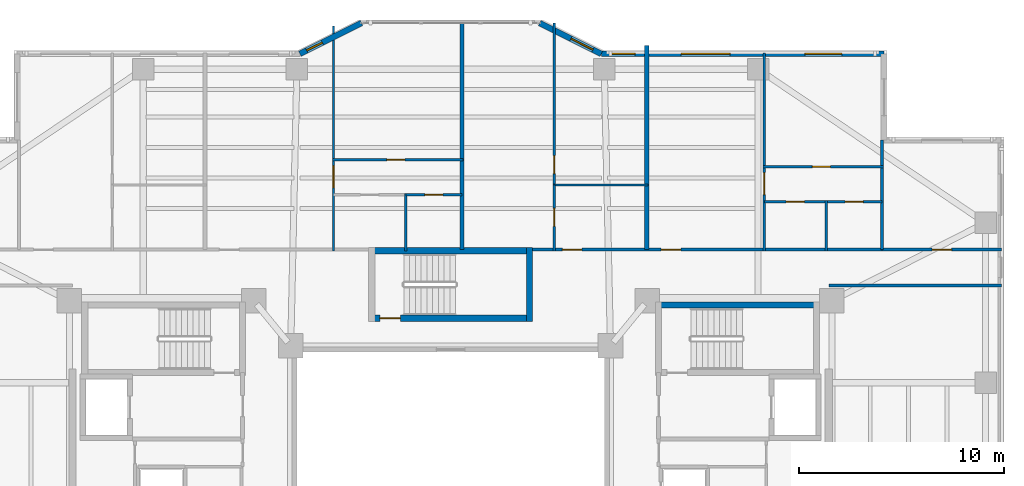
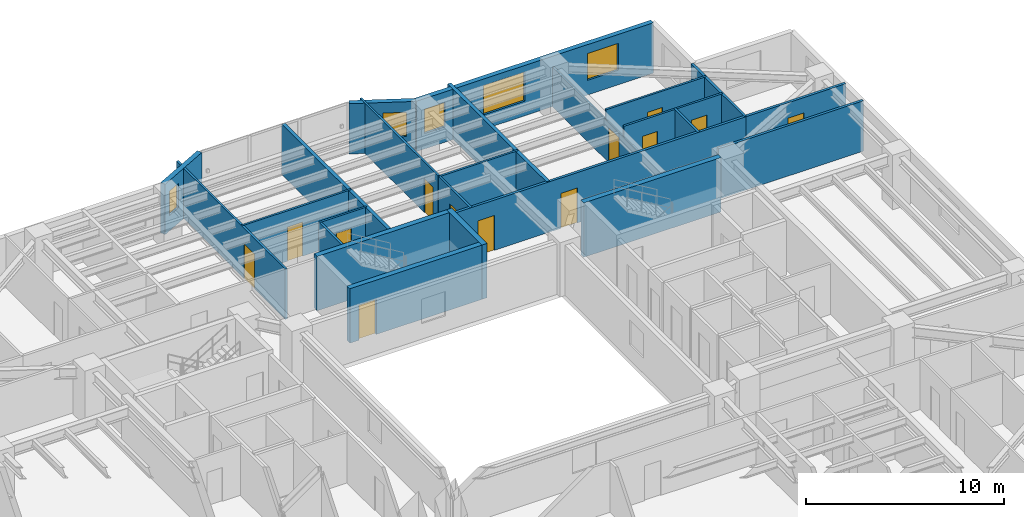
# One storey, part 10 of 18: 25 walls, 13 doors, 5 windows, 18 openings.
"""IFC4 building model written with IfcOpenShell, lengths in metres."""

from ifc_helpers import new_model, si_unit, direction, frame, frame_2d, origin, place, context, subcontext, project, spatial, rectangle, extrude, material, layer, layer_set, type_object, element, fill, save


model = new_model("IFC4")

# Units and contexts
model_context = context("Model", 3, precision=1e-05, world=origin(), true_north=direction((0.0, 1.0)))
body_context = subcontext(model_context, "Body", "Model", "MODEL_VIEW")
ifc_project = project(units=[si_unit("LENGTHUNIT", "METRE"), si_unit("AREAUNIT", "SQUARE_METRE"), si_unit("VOLUMEUNIT", "CUBIC_METRE"), si_unit("PLANEANGLEUNIT", "RADIAN"), si_unit("MASSUNIT", "GRAM", prefix="KILO")], contexts=[model_context])

# Site, building, storey
site_placement = place(None, origin())
site = spatial("IfcSite", under=ifc_project, at=site_placement, CompositionType="ELEMENT")
building_placement = place(site_placement, origin())
building = spatial("IfcBuilding", under=site, at=building_placement, Name="Tarnavaz Court Tower", CompositionType="ELEMENT")
storey_placement = place(building_placement, frame((0.0, 0.0, 98.39990234375)))
storey = spatial("IfcBuildingStorey", under=building, at=storey_placement, Name="L26", CompositionType="ELEMENT", Elevation=98.39990234375)

# Walls
ifc_material_1 = material(Name="Concrete C60/75", Category="concrete")
ifc_layer_1 = layer(ifc_material_1, 0.300048828125)
ifc_layer_set_1 = layer_set([ifc_layer_1], Name="Concrete C60/75")
wall_type_1 = type_object("IfcWallType", Name="WL-CORE-300-C60", PredefinedType="SHEAR", material=ifc_layer_set_1)
for number, where, z_axis, x_axis, name in (
    (1, (10.0, 9.7900390625, 0.0), (0.0, 0.0, 1.0), (1.0, 0.0, 0.0), "L26 East Stair Core Wall 005"),
    (2, (-4.0, 12.43994140625, 0.0), (0.0, 0.0, 1.0), (1.0, 0.0, 0.0), "L26 North Stair Core Wall 009"),
):
    element("IfcWall", number, at=place(storey_placement, frame(where, z_axis=z_axis, x_axis=x_axis)), inside=storey, type_object=wall_type_1, Name=name, PredefinedType="SHEAR", context=body_context, shape_type="SweptSolid", body=[
        extrude(rectangle(XDim=8.0, YDim=0.300048828125, at=frame_2d((4.0, 0.0))), origin(), (0.0, 0.0, 1.0), 3.35009765625),
    ])

# Wall, opening, door
wall_1_placement = place(storey_placement, frame((-4.0, 9.14990234375, 0.0), z_axis=(0.0, 0.0, 1.0), x_axis=(1.0, 0.0, 0.0)))
wall_1 = element("IfcWall", 3, at=wall_1_placement, inside=storey, type_object=wall_type_1, Name="L26 North Stair Core Wall 010", PredefinedType="SHEAR", context=body_context, shape_type="SweptSolid", body=[
    extrude(rectangle(XDim=8.0, YDim=0.300048828125, at=frame_2d((4.0, 0.0))), origin(), (0.0, 0.0, 1.0), 3.35009765625),
])
opening_1_placement = place(wall_1_placement, frame((0.550048828125, 0.0, 0.0)))
opening_1 = element("IfcOpeningElement", 4, at=opening_1_placement, cuts=wall_1, Name="Opening D01", PredefinedType="OPENING", context=body_context, shape_type="SweptSolid", body=[
    extrude(rectangle(XDim=1.0, YDim=2.14990234375, at=frame_2d((0.5, 1.074951171875))), frame((0.0, 0.159912109375, 0.0), z_axis=(0.0, -1.0, 0.0), x_axis=(1.0, 0.0, 0.0)), (0.0, 0.0, 1.0), 0.320068359375),
])
ifc_material_2 = material(Name="Fire-Rated Hardwood Timber Core", Category="wood")
door_type_1 = type_object("IfcDoorType", Name="DR-FD90-1000", OperationType="NOTDEFINED", PredefinedType="DOOR", material=ifc_material_2)
door_1_placement = place(opening_1_placement, origin())
door_1 = element("IfcDoor", 5, at=door_1_placement, inside=storey, type_object=door_type_1, Name="L26 Stair ST-N1 Exit Door", OperationType="SINGLE_SWING_LEFT", OverallHeight=2.14990234375, OverallWidth=1.0, PredefinedType="DOOR", context=body_context, shape_type="SweptSolid", body=[
    extrude(rectangle(XDim=1.0, YDim=2.14990234375, at=frame_2d((0.5, 1.074951171875))), frame((0.0, 0.02490234375, 0.0), z_axis=(0.0, -1.0, 0.0), x_axis=(1.0, 0.0, 0.0)), (0.0, 0.0, 1.0), 0.050048828125),
])
fill(opening_1, door_1)

# Wall
wall_2_placement = place(storey_placement, frame((3.85009765625, 9.0, 0.0), z_axis=(0.0, 0.0, 1.0), x_axis=(0.0, 1.0, 0.0)))
element("IfcWall", 6, at=wall_2_placement, inside=storey, type_object=wall_type_1, Name="L26 North Stair Core Wall 012", PredefinedType="SHEAR", context=body_context, shape_type="SweptSolid", body=[
    extrude(rectangle(XDim=3.590087890625, YDim=0.300048828125, at=frame_2d((1.794921875, 0.0))), origin(), (0.0, 0.0, 1.0), 3.35009765625),
])

# Wall, opening, window
ifc_material_3 = material(Name="Precast Concrete C40/50", Category="concrete")
ifc_layer_2 = layer(ifc_material_3, 0.280029296875)
ifc_layer_set_2 = layer_set([ifc_layer_2], Name="Precast Concrete C40/50")
wall_type_2 = type_object("IfcWallType", Name="WL-EXT-280", PredefinedType="SOLIDWALL", material=ifc_layer_set_2)
wall_3_placement = place(storey_placement, frame((-7.35009765625, 22.050048828125, 0.0), z_axis=(0.0, 0.0, 1.0), x_axis=(0.894427191, 0.4472135955, 0.0)))
wall_3 = element("IfcWall", 7, at=wall_3_placement, inside=storey, type_object=wall_type_2, Name="L26 Exterior Terracotta Facade Wall 06", PredefinedType="SOLIDWALL", context=body_context, shape_type="SweptSolid", body=[
    extrude(rectangle(XDim=3.35400390625, YDim=0.280029296875, at=frame_2d((1.677001953125, 0.0))), origin(), (0.0, 0.0, 1.0), 3.10009765625),
])
opening_2_placement = place(wall_3_placement, frame((0.370849609375, 0.0, 0.949951171875)))
opening_2 = element("IfcOpeningElement", 8, at=opening_2_placement, cuts=wall_3, Name="Opening W15", PredefinedType="OPENING", context=body_context, shape_type="SweptSolid", body=[
    extrude(rectangle(XDim=0.85009765625, YDim=1.5, at=frame_2d((0.425048828125, 0.75))), frame((0.0, 0.14990234375, 0.0), z_axis=(0.0, -1.0, 0.0), x_axis=(1.0, 0.0, 0.0)), (0.0, 0.0, 1.0), 0.300048828125),
])
ifc_material_4 = material(Name="Double-Glazed Solar Low-E Glass", Category="glass")
window_type_1 = type_object("IfcWindowType", Name="WN-APT-850", PartitioningType="SINGLE_PANEL", PredefinedType="WINDOW", material=ifc_material_4)
window_1_placement = place(opening_2_placement, origin())
window_1 = element("IfcWindow", 9, at=window_1_placement, inside=storey, type_object=window_type_1, Name="L26 Flat 02 Living and Dining Room Window", OverallHeight=1.5, OverallWidth=0.85009765625, PartitioningType="SINGLE_PANEL", PredefinedType="WINDOW", context=body_context, shape_type="SweptSolid", body=[
    extrude(rectangle(XDim=0.85009765625, YDim=1.5, at=frame_2d((0.425048828125, 0.75))), frame((0.0, 0.030029296875, 0.0), z_axis=(0.0, -1.0, 0.0), x_axis=(1.0, 0.0, 0.0)), (0.0, 0.0, 1.0), 0.06005859375),
])
fill(opening_2, window_1)

wall_4_placement = place(storey_placement, frame((4.35009765625, 23.550048828125, 0.0), z_axis=(0.0, 0.0, 1.0), x_axis=(0.894427191, -0.4472135955, 0.0)))
wall_4 = element("IfcWall", 10, at=wall_4_placement, inside=storey, type_object=wall_type_2, Name="L26 Exterior Terracotta Facade Wall 08", PredefinedType="SOLIDWALL", context=body_context, shape_type="SweptSolid", body=[
    extrude(rectangle(XDim=3.35400390625, YDim=0.280029296875, at=frame_2d((1.677001953125, 0.0))), origin(), (0.0, 0.0, 1.0), 3.10009765625),
])
opening_3_placement = place(wall_4_placement, frame((1.702880859375, 0.0, 0.949951171875)))
opening_3 = element("IfcOpeningElement", 11, at=opening_3_placement, cuts=wall_4, Name="Opening W05", PredefinedType="OPENING", context=body_context, shape_type="SweptSolid", body=[
    extrude(rectangle(XDim=1.199951171875, YDim=1.5, at=frame_2d((0.60009765625, 0.75))), frame((0.0, 0.14990234375, 0.0), z_axis=(0.0, -1.0, 0.0), x_axis=(1.0, 0.0, 0.0)), (0.0, 0.0, 1.0), 0.300048828125),
])
window_type_2 = type_object("IfcWindowType", Name="WN-APT-1200", PartitioningType="SINGLE_PANEL", PredefinedType="WINDOW", material=ifc_material_4)
window_2_placement = place(opening_3_placement, origin())
window_2 = element("IfcWindow", 12, at=window_2_placement, inside=storey, type_object=window_type_2, Name="L26 Flat 03 Kitchen Window", OverallHeight=1.5, OverallWidth=1.199951171875, PartitioningType="SINGLE_PANEL", PredefinedType="WINDOW", context=body_context, shape_type="SweptSolid", body=[
    extrude(rectangle(XDim=1.199951171875, YDim=1.5, at=frame_2d((0.60009765625, 0.75))), frame((0.0, 0.030029296875, 0.0), z_axis=(0.0, -1.0, 0.0), x_axis=(1.0, 0.0, 0.0)), (0.0, 0.0, 1.0), 0.06005859375),
])
fill(opening_3, window_2)

# Wall, openings, windows
wall_5_placement = place(storey_placement, frame((7.35009765625, 22.050048828125, 0.0), z_axis=(0.0, 0.0, 1.0), x_axis=(1.0, 0.0, 0.0)))
wall_5 = element("IfcWall", 13, at=wall_5_placement, inside=storey, type_object=wall_type_2, Name="L26 Exterior Terracotta Facade Wall 09", PredefinedType="SOLIDWALL", context=body_context, shape_type="SweptSolid", body=[
    extrude(rectangle(XDim=13.7998046875, YDim=0.280029296875, at=frame_2d((6.89990234375, 0.0))), origin(), (0.0, 0.0, 1.0), 3.10009765625),
])
opening_4_placement = place(wall_5_placement, frame((0.453857421875, 0.0, 0.949951171875)))
opening_4 = element("IfcOpeningElement", 14, at=opening_4_placement, cuts=wall_5, Name="Opening W05", PredefinedType="OPENING", context=body_context, shape_type="SweptSolid", body=[
    extrude(rectangle(XDim=1.199951171875, YDim=1.5, at=frame_2d((0.60009765625, 0.75))), frame((0.0, 0.14990234375, 0.0), z_axis=(0.0, -1.0, 0.0), x_axis=(1.0, 0.0, 0.0)), (0.0, 0.0, 1.0), 0.300048828125),
])
opening_5_placement = place(wall_5_placement, frame((3.8935546875, 0.0, 0.89990234375)))
opening_5 = element("IfcOpeningElement", 15, at=opening_5_placement, cuts=wall_5, Name="Opening W06", PredefinedType="OPENING", context=body_context, shape_type="SweptSolid", body=[
    extrude(rectangle(XDim=2.39990234375, YDim=1.800048828125, at=frame_2d((1.199951171875, 0.89990234375))), frame((0.0, 0.14990234375, 0.0), z_axis=(0.0, -1.0, 0.0), x_axis=(1.0, 0.0, 0.0)), (0.0, 0.0, 1.0), 0.300048828125),
])
opening_6_placement = place(wall_5_placement, frame((9.939208984375, 0.0, 0.89990234375)))
opening_6 = element("IfcOpeningElement", 16, at=opening_6_placement, cuts=wall_5, Name="Opening W01", PredefinedType="OPENING", context=body_context, shape_type="SweptSolid", body=[
    extrude(rectangle(XDim=1.800048828125, YDim=1.64990234375, at=frame_2d((0.89990234375, 0.824951171875))), frame((0.0, 0.14990234375, 0.0), z_axis=(0.0, -1.0, 0.0), x_axis=(1.0, 0.0, 0.0)), (0.0, 0.0, 1.0), 0.300048828125),
])
window_3_placement = place(opening_4_placement, origin())
window_3 = element("IfcWindow", 17, at=window_3_placement, inside=storey, type_object=window_type_2, Name="L26 Flat 03 Kitchen Window", OverallHeight=1.5, OverallWidth=1.199951171875, PartitioningType="SINGLE_PANEL", PredefinedType="WINDOW", context=body_context, shape_type="SweptSolid", body=[
    extrude(rectangle(XDim=1.199951171875, YDim=1.5, at=frame_2d((0.60009765625, 0.75))), frame((0.0, 0.030029296875, 0.0), z_axis=(0.0, -1.0, 0.0), x_axis=(1.0, 0.0, 0.0)), (0.0, 0.0, 1.0), 0.06005859375),
])
fill(opening_4, window_3)
window_type_3 = type_object("IfcWindowType", Name="WN-APT-1800", PartitioningType="DOUBLE_PANEL_VERTICAL", PredefinedType="WINDOW", material=ifc_material_4)
window_4_placement = place(opening_6_placement, origin())
window_4 = element("IfcWindow", 18, at=window_4_placement, inside=storey, type_object=window_type_3, Name="L26 Flat 04 Bedroom 1 Window", OverallHeight=1.64990234375, OverallWidth=1.800048828125, PartitioningType="SINGLE_PANEL", PredefinedType="WINDOW", context=body_context, shape_type="SweptSolid", body=[
    extrude(rectangle(XDim=1.800048828125, YDim=1.64990234375, at=frame_2d((0.89990234375, 0.824951171875))), frame((0.0, 0.030029296875, 0.0), z_axis=(0.0, -1.0, 0.0), x_axis=(1.0, 0.0, 0.0)), (0.0, 0.0, 1.0), 0.06005859375),
])
fill(opening_6, window_4)
window_type_4 = type_object("IfcWindowType", Name="WN-APT-2400", PartitioningType="TRIPLE_PANEL_VERTICAL", PredefinedType="WINDOW", material=ifc_material_4)
window_5_placement = place(opening_5_placement, origin())
window_5 = element("IfcWindow", 19, at=window_5_placement, inside=storey, type_object=window_type_4, Name="L26 Flat 04 Living and Dining Room Window", OverallHeight=1.800048828125, OverallWidth=2.39990234375, PartitioningType="SINGLE_PANEL", PredefinedType="WINDOW", context=body_context, shape_type="SweptSolid", body=[
    extrude(rectangle(XDim=2.39990234375, YDim=1.800048828125, at=frame_2d((1.199951171875, 0.89990234375))), frame((0.0, 0.030029296875, 0.0), z_axis=(0.0, -1.0, 0.0), x_axis=(1.0, 0.0, 0.0)), (0.0, 0.0, 1.0), 0.06005859375),
])
fill(opening_5, window_5)

# Wall, openings, doors
ifc_material_5 = material(Name="Gypsum Fire-Board on Acoustic Metal Stud", Category="masonry")
ifc_layer_3 = layer(ifc_material_5, 0.14990234375)
ifc_layer_set_3 = layer_set([ifc_layer_3], Name="Gypsum Fire-Board on Acoustic Metal Stud")
wall_type_3 = type_object("IfcWallType", Name="WL-FIRE-150", PredefinedType="PARTITIONING", material=ifc_layer_set_3)
wall_6_placement = place(storey_placement, frame((3.85009765625, 12.5, 0.0), z_axis=(0.0, 0.0, 1.0), x_axis=(1.0, 0.0, 0.0)))
wall_6 = element("IfcWall", 20, at=wall_6_placement, inside=storey, type_object=wall_type_3, Name="L26 NE Wing Corridor Wall 072", PredefinedType="PARTITIONING", context=body_context, shape_type="SweptSolid", body=[
    extrude(rectangle(XDim=17.199951171875, YDim=0.14990234375, at=frame_2d((8.60009765625, 0.0))), origin(), (0.0, 0.0, 1.0), 3.10009765625),
])
opening_7_placement = place(wall_6_placement, frame((1.60009765625, 0.0, 0.0)))
opening_7 = element("IfcOpeningElement", 21, at=opening_7_placement, cuts=wall_6, Name="Opening D06", PredefinedType="OPENING", context=body_context, shape_type="SweptSolid", body=[
    extrude(rectangle(XDim=0.9599609375, YDim=2.14990234375, at=frame_2d((0.47998046875, 1.074951171875))), frame((0.0, 0.0849609375, 0.0), z_axis=(0.0, -1.0, 0.0), x_axis=(1.0, 0.0, 0.0)), (0.0, 0.0, 1.0), 0.169921875),
])
opening_8_placement = place(wall_6_placement, frame((6.419921875, 0.0, 0.0)))
opening_8 = element("IfcOpeningElement", 22, at=opening_8_placement, cuts=wall_6, Name="Opening D06", PredefinedType="OPENING", context=body_context, shape_type="SweptSolid", body=[
    extrude(rectangle(XDim=0.9599609375, YDim=2.14990234375, at=frame_2d((0.47998046875, 1.074951171875))), frame((0.0, 0.0849609375, 0.0), z_axis=(0.0, -1.0, 0.0), x_axis=(1.0, 0.0, 0.0)), (0.0, 0.0, 1.0), 0.169921875),
])
door_type_2 = type_object("IfcDoorType", Name="DR-FD60-950", OperationType="NOTDEFINED", PredefinedType="DOOR", material=ifc_material_2)
door_2_placement = place(opening_7_placement, origin())
door_2 = element("IfcDoor", 23, at=door_2_placement, inside=storey, type_object=door_type_2, Name="L26 Flat 03 Entrance Door", OperationType="SINGLE_SWING_LEFT", OverallHeight=2.14990234375, OverallWidth=0.9599609375, PredefinedType="DOOR", context=body_context, shape_type="SweptSolid", body=[
    extrude(rectangle(XDim=0.9599609375, YDim=2.14990234375, at=frame_2d((0.47998046875, 1.074951171875))), frame((0.0, 0.02490234375, 0.0), z_axis=(0.0, -1.0, 0.0), x_axis=(1.0, 0.0, 0.0)), (0.0, 0.0, 1.0), 0.050048828125),
])
fill(opening_7, door_2)
door_3_placement = place(opening_8_placement, origin())
door_3 = element("IfcDoor", 24, at=door_3_placement, inside=storey, type_object=door_type_2, Name="L26 Flat 04 Entrance Door", OperationType="SINGLE_SWING_RIGHT", OverallHeight=2.14990234375, OverallWidth=0.9599609375, PredefinedType="DOOR", context=body_context, shape_type="SweptSolid", body=[
    extrude(rectangle(XDim=0.9599609375, YDim=2.14990234375, at=frame_2d((0.47998046875, 1.074951171875))), frame((0.0, 0.02490234375, 0.0), z_axis=(0.0, -1.0, 0.0), x_axis=(1.0, 0.0, 0.0)), (0.0, 0.0, 1.0), 0.050048828125),
])
fill(opening_8, door_3)

# Wall
wall_7_placement = place(storey_placement, frame((18.449951171875, 10.75, 0.0), z_axis=(0.0, 0.0, 1.0), x_axis=(1.0, 0.0, 0.0)))
element("IfcWall", 25, at=wall_7_placement, inside=storey, type_object=wall_type_3, Name="L26 Interior Partition 115", PredefinedType="PARTITIONING", context=body_context, shape_type="SweptSolid", body=[
    extrude(rectangle(XDim=8.429931640625, YDim=0.14990234375, at=frame_2d((4.21484375, 0.0))), origin(), (0.0, 0.0, 1.0), 3.10009765625),
])

# Wall, opening, door
wall_8_placement = place(storey_placement, frame((21.050048828125, 12.5, 0.0), z_axis=(0.0, 0.0, 1.0), x_axis=(1.0, 0.0, 0.0)))
wall_8 = element("IfcWall", 26, at=wall_8_placement, inside=storey, type_object=wall_type_3, Name="L26 Interior Partition 121", PredefinedType="PARTITIONING", context=body_context, shape_type="SweptSolid", body=[
    extrude(rectangle(XDim=5.829833984375, YDim=0.14990234375, at=frame_2d((2.9150390625, 0.0))), origin(), (0.0, 0.0, 1.0), 3.10009765625),
])
opening_9_placement = place(wall_8_placement, frame((2.43994140625, 0.0, 0.0)))
opening_9 = element("IfcOpeningElement", 27, at=opening_9_placement, cuts=wall_8, Name="Opening D13", PredefinedType="OPENING", context=body_context, shape_type="SweptSolid", body=[
    extrude(rectangle(XDim=0.949951171875, YDim=2.14990234375, at=frame_2d((0.47509765625, 1.074951171875))), frame((0.0, 0.0849609375, 0.0), z_axis=(0.0, -1.0, 0.0), x_axis=(1.0, 0.0, 0.0)), (0.0, 0.0, 1.0), 0.169921875),
])
ifc_material_6 = material(Name="Engineered Oak Timber", Category="wood")
door_type_3 = type_object("IfcDoorType", Name="DR-INT-950", OperationType="NOTDEFINED", PredefinedType="DOOR", material=ifc_material_6)
door_4_placement = place(opening_9_placement, origin())
door_4 = element("IfcDoor", 28, at=door_4_placement, inside=storey, type_object=door_type_3, Name="L26 NE Sunroom Door", OperationType="SINGLE_SWING_RIGHT", OverallHeight=2.14990234375, OverallWidth=0.949951171875, PredefinedType="DOOR", context=body_context, shape_type="SweptSolid", body=[
    extrude(rectangle(XDim=0.949951171875, YDim=2.14990234375, at=frame_2d((0.47509765625, 1.074951171875))), frame((0.0, 0.02490234375, 0.0), z_axis=(0.0, -1.0, 0.0), x_axis=(1.0, 0.0, 0.0)), (0.0, 0.0, 1.0), 0.050048828125),
])
fill(opening_9, door_4)

# Walls
ifc_material_7 = material(Name="Autoclaved Aerated Concrete Blockwork", Category="masonry")
ifc_layer_4 = layer(ifc_material_7, 0.199951171875)
ifc_layer_set_4 = layer_set([ifc_layer_4], Name="Autoclaved Aerated Concrete Blockwork")
wall_type_4 = type_object("IfcWallType", Name="WL-FIRE-200", PredefinedType="SOLIDWALL", material=ifc_layer_set_4)
wall_9_placement = place(storey_placement, frame((0.550048828125, 12.5, 0.0), z_axis=(0.0, 0.0, 1.0), x_axis=(0.0, 1.0, 0.0)))
element("IfcWall", 29, at=wall_9_placement, inside=storey, type_object=wall_type_4, Name="L26 North Center Party Wall 075", PredefinedType="SOLIDWALL", context=body_context, shape_type="SweptSolid", body=[
    extrude(rectangle(XDim=11.080078125, YDim=0.199951171875, at=frame_2d((5.5400390625, 0.0))), origin(), (0.0, 0.0, 1.0), 3.10009765625),
])
wall_10_placement = place(storey_placement, frame((9.570068359375, 12.5, 0.0), z_axis=(0.0, 0.0, 1.0), x_axis=(0.0, 1.0, 0.0)))
element("IfcWall", 30, at=wall_10_placement, inside=storey, type_object=wall_type_4, Name="L26 Party Wall 085", PredefinedType="SOLIDWALL", context=body_context, shape_type="SweptSolid", body=[
    extrude(rectangle(XDim=9.952880859375, YDim=0.199951171875, at=frame_2d((4.9765625, 0.0))), origin(), (0.0, 0.0, 1.0), 3.10009765625),
])

# Wall, opening, door
ifc_material_8 = material(Name="Moisture-Resistant Gypsum Board Partition", Category="masonry")
ifc_layer_5 = layer(ifc_material_8, 0.1201171875)
ifc_layer_set_5 = layer_set([ifc_layer_5], Name="Moisture-Resistant Gypsum Board Partition")
wall_type_5 = type_object("IfcWallType", Name="WL-PART-120", PredefinedType="PARTITIONING", material=ifc_layer_set_5)
wall_11_placement = place(storey_placement, frame((-5.714111328125, 12.43994140625, 0.0), z_axis=(0.0, 0.0, 1.0), x_axis=(0.0, 1.0, 0.0)))
wall_11 = element("IfcWall", 31, at=wall_11_placement, inside=storey, type_object=wall_type_5, Name="L26 Interior Partition 080", PredefinedType="PARTITIONING", context=body_context, shape_type="SweptSolid", body=[
    extrude(rectangle(XDim=10.964111328125, YDim=0.1201171875, at=frame_2d((5.48193359375, 0.0))), origin(), (0.0, 0.0, 1.0), 3.10009765625),
])
opening_10_placement = place(wall_11_placement, frame((3.074951171875, 0.0, 0.0)))
opening_10 = element("IfcOpeningElement", 32, at=opening_10_placement, cuts=wall_11, Name="Opening D12", PredefinedType="OPENING", context=body_context, shape_type="SweptSolid", body=[
    extrude(rectangle(XDim=1.080078125, YDim=2.14990234375, at=frame_2d((0.5400390625, 1.074951171875))), frame((0.0, 0.070068359375, 0.0), z_axis=(0.0, -1.0, 0.0), x_axis=(1.0, 0.0, 0.0)), (0.0, 0.0, 1.0), 0.14013671875),
])
door_type_4 = type_object("IfcDoorType", Name="DR-INT-1100", OperationType="NOTDEFINED", PredefinedType="DOOR", material=ifc_material_6)
door_5_placement = place(opening_10_placement, origin())
door_5 = element("IfcDoor", 33, at=door_5_placement, inside=storey, type_object=door_type_4, Name="L26 Flat 02 Foyer Door", OperationType="SINGLE_SWING_LEFT", OverallHeight=2.14990234375, OverallWidth=1.080078125, PredefinedType="DOOR", context=body_context, shape_type="SweptSolid", body=[
    extrude(rectangle(XDim=1.080078125, YDim=2.14990234375, at=frame_2d((0.5400390625, 1.074951171875))), frame((0.0, 0.02490234375, 0.0), z_axis=(0.0, -1.0, 0.0), x_axis=(1.0, 0.0, 0.0)), (0.0, 0.0, 1.0), 0.050048828125),
])
fill(opening_10, door_5)

wall_12_placement = place(storey_placement, frame((-2.177978515625, 15.169921875, 0.0), z_axis=(0.0, 0.0, 1.0), x_axis=(1.0, 0.0, 0.0)))
wall_12 = element("IfcWall", 34, at=wall_12_placement, inside=storey, type_object=wall_type_5, Name="L26 Interior Partition 082", PredefinedType="PARTITIONING", context=body_context, shape_type="SweptSolid", body=[
    extrude(rectangle(XDim=2.72802734375, YDim=0.1201171875, at=frame_2d((1.364013671875, 0.0))), origin(), (0.0, 0.0, 1.0), 3.10009765625),
])
opening_11_placement = place(wall_12_placement, frame((0.924072265625, 0.0, 0.0)))
opening_11 = element("IfcOpeningElement", 35, at=opening_11_placement, cuts=wall_12, Name="Opening D14", PredefinedType="OPENING", context=body_context, shape_type="SweptSolid", body=[
    extrude(rectangle(XDim=0.8798828125, YDim=2.10009765625, at=frame_2d((0.43994140625, 1.050048828125))), frame((0.0, 0.070068359375, 0.0), z_axis=(0.0, -1.0, 0.0), x_axis=(1.0, 0.0, 0.0)), (0.0, 0.0, 1.0), 0.14013671875),
])
door_type_5 = type_object("IfcDoorType", Name="DR-INT-900", OperationType="NOTDEFINED", PredefinedType="DOOR", material=ifc_material_6)
door_6_placement = place(opening_11_placement, origin())
door_6 = element("IfcDoor", 36, at=door_6_placement, inside=storey, type_object=door_type_5, Name="L26 Flat 02 Bathroom Door", OperationType="SINGLE_SWING_LEFT", OverallHeight=2.10009765625, OverallWidth=0.8798828125, PredefinedType="DOOR", context=body_context, shape_type="SweptSolid", body=[
    extrude(rectangle(XDim=0.8798828125, YDim=2.10009765625, at=frame_2d((0.43994140625, 1.050048828125))), frame((0.0, 0.02490234375, 0.0), z_axis=(0.0, -1.0, 0.0), x_axis=(1.0, 0.0, 0.0)), (0.0, 0.0, 1.0), 0.050048828125),
])
fill(opening_11, door_6)

wall_13_placement = place(storey_placement, frame((-5.77392578125, 16.8798828125, 0.0), z_axis=(0.0, 0.0, 1.0), x_axis=(1.0, 0.0, 0.0)))
wall_13 = element("IfcWall", 37, at=wall_13_placement, inside=storey, type_object=wall_type_5, Name="L26 Interior Partition 083", PredefinedType="PARTITIONING", context=body_context, shape_type="SweptSolid", body=[
    extrude(rectangle(XDim=6.384033203125, YDim=0.1201171875, at=frame_2d((3.19189453125, 0.0))), origin(), (0.0, 0.0, 1.0), 3.10009765625),
])
opening_12_placement = place(wall_13_placement, frame((2.662109375, 0.0, 0.0)))
opening_12 = element("IfcOpeningElement", 38, at=opening_12_placement, cuts=wall_13, Name="Opening D14", PredefinedType="OPENING", context=body_context, shape_type="SweptSolid", body=[
    extrude(rectangle(XDim=0.8798828125, YDim=2.10009765625, at=frame_2d((0.43994140625, 1.050048828125))), frame((0.0, 0.070068359375, 0.0), z_axis=(0.0, -1.0, 0.0), x_axis=(1.0, 0.0, 0.0)), (0.0, 0.0, 1.0), 0.14013671875),
])
door_7_placement = place(opening_12_placement, origin())
door_7 = element("IfcDoor", 39, at=door_7_placement, inside=storey, type_object=door_type_5, Name="L26 Flat 02 Bedroom 1 Door", OperationType="SINGLE_SWING_RIGHT", OverallHeight=2.10009765625, OverallWidth=0.8798828125, PredefinedType="DOOR", context=body_context, shape_type="SweptSolid", body=[
    extrude(rectangle(XDim=0.8798828125, YDim=2.10009765625, at=frame_2d((0.43994140625, 1.050048828125))), frame((0.0, 0.02490234375, 0.0), z_axis=(0.0, -1.0, 0.0), x_axis=(1.0, 0.0, 0.0)), (0.0, 0.0, 1.0), 0.050048828125),
])
fill(opening_12, door_7)

# Wall
wall_14_placement = place(storey_placement, frame((-2.177978515625, 12.43994140625, 0.0), z_axis=(0.0, 0.0, 1.0), x_axis=(0.0, 1.0, 0.0)))
element("IfcWall", 40, at=wall_14_placement, inside=storey, type_object=wall_type_5, Name="L26 Interior Partition 084", PredefinedType="PARTITIONING", context=body_context, shape_type="SweptSolid", body=[
    extrude(rectangle(XDim=2.7900390625, YDim=0.1201171875, at=frame_2d((1.39501953125, 0.0))), origin(), (0.0, 0.0, 1.0), 3.10009765625),
])

# Wall, opening, door
wall_15_placement = place(storey_placement, frame((5.06005859375, 12.43994140625, 0.0), z_axis=(0.0, 0.0, 1.0), x_axis=(0.0, 1.0, 0.0)))
wall_15 = element("IfcWall", 41, at=wall_15_placement, inside=storey, type_object=wall_type_5, Name="L26 Interior Partition 086", PredefinedType="PARTITIONING", context=body_context, shape_type="SweptSolid", body=[
    extrude(rectangle(XDim=3.2099609375, YDim=0.1201171875, at=frame_2d((1.60498046875, 0.0))), origin(), (0.0, 0.0, 1.0), 3.10009765625),
])
opening_13_placement = place(wall_15_placement, frame((1.195068359375, 0.0, 0.0)))
opening_13 = element("IfcOpeningElement", 42, at=opening_13_placement, cuts=wall_15, Name="Opening D14", PredefinedType="OPENING", context=body_context, shape_type="SweptSolid", body=[
    extrude(rectangle(XDim=0.8798828125, YDim=2.10009765625, at=frame_2d((0.43994140625, 1.050048828125))), frame((0.0, 0.070068359375, 0.0), z_axis=(0.0, -1.0, 0.0), x_axis=(1.0, 0.0, 0.0)), (0.0, 0.0, 1.0), 0.14013671875),
])
door_8_placement = place(opening_13_placement, origin())
door_8 = element("IfcDoor", 43, at=door_8_placement, inside=storey, type_object=door_type_5, Name="L26 Flat 03 Bathroom Door", OperationType="SINGLE_SWING_RIGHT", OverallHeight=2.10009765625, OverallWidth=0.8798828125, PredefinedType="DOOR", context=body_context, shape_type="SweptSolid", body=[
    extrude(rectangle(XDim=0.8798828125, YDim=2.10009765625, at=frame_2d((0.43994140625, 1.050048828125))), frame((0.0, 0.02490234375, 0.0), z_axis=(0.0, -1.0, 0.0), x_axis=(1.0, 0.0, 0.0)), (0.0, 0.0, 1.0), 0.050048828125),
])
fill(opening_13, door_8)

wall_16_placement = place(storey_placement, frame((5.06005859375, 15.64990234375, 0.0), z_axis=(0.0, 0.0, 1.0), x_axis=(0.0, 1.0, 0.0)))
wall_16 = element("IfcWall", 44, at=wall_16_placement, inside=storey, type_object=wall_type_5, Name="L26 Interior Partition 087", PredefinedType="PARTITIONING", context=body_context, shape_type="SweptSolid", body=[
    extrude(rectangle(XDim=7.9150390625, YDim=0.1201171875, at=frame_2d((3.95751953125, 0.0))), origin(), (0.0, 0.0, 1.0), 3.10009765625),
])
opening_14_placement = place(wall_16_placement, frame((0.550048828125, 0.0, 0.0)))
opening_14 = element("IfcOpeningElement", 45, at=opening_14_placement, cuts=wall_16, Name="Opening D14", PredefinedType="OPENING", context=body_context, shape_type="SweptSolid", body=[
    extrude(rectangle(XDim=0.8798828125, YDim=2.10009765625, at=frame_2d((0.43994140625, 1.050048828125))), frame((0.0, 0.070068359375, 0.0), z_axis=(0.0, -1.0, 0.0), x_axis=(1.0, 0.0, 0.0)), (0.0, 0.0, 1.0), 0.14013671875),
])
door_9_placement = place(opening_14_placement, origin())
door_9 = element("IfcDoor", 46, at=door_9_placement, inside=storey, type_object=door_type_5, Name="L26 Flat 03 Kitchen Door", OperationType="SINGLE_SWING_LEFT", OverallHeight=2.10009765625, OverallWidth=0.8798828125, PredefinedType="DOOR", context=body_context, shape_type="SweptSolid", body=[
    extrude(rectangle(XDim=0.8798828125, YDim=2.10009765625, at=frame_2d((0.43994140625, 1.050048828125))), frame((0.0, 0.02490234375, 0.0), z_axis=(0.0, -1.0, 0.0), x_axis=(1.0, 0.0, 0.0)), (0.0, 0.0, 1.0), 0.050048828125),
])
fill(opening_14, door_9)

# Wall
wall_17_placement = place(storey_placement, frame((5.0, 15.64990234375, 0.0), z_axis=(0.0, 0.0, 1.0), x_axis=(1.0, 0.0, 0.0)))
element("IfcWall", 47, at=wall_17_placement, inside=storey, type_object=wall_type_5, Name="L26 Interior Partition 088", PredefinedType="PARTITIONING", context=body_context, shape_type="SweptSolid", body=[
    extrude(rectangle(XDim=4.6298828125, YDim=0.1201171875, at=frame_2d((2.31494140625, 0.0))), origin(), (0.0, 0.0, 1.0), 3.10009765625),
])

# Wall, opening, door
wall_18_placement = place(storey_placement, frame((15.31005859375, 12.43994140625, 0.0), z_axis=(0.0, 0.0, 1.0), x_axis=(0.0, 1.0, 0.0)))
wall_18 = element("IfcWall", 48, at=wall_18_placement, inside=storey, type_object=wall_type_5, Name="L26 Interior Partition 089", PredefinedType="PARTITIONING", context=body_context, shape_type="SweptSolid", body=[
    extrude(rectangle(XDim=9.66015625, YDim=0.1201171875, at=frame_2d((4.830078125, 0.0))), origin(), (0.0, 0.0, 1.0), 2.43505859375),
])
opening_15_placement = place(wall_18_placement, frame((2.735107421875, 0.0, 0.0)))
opening_15 = element("IfcOpeningElement", 49, at=opening_15_placement, cuts=wall_18, Name="Opening D12", PredefinedType="OPENING", context=body_context, shape_type="SweptSolid", body=[
    extrude(rectangle(XDim=1.080078125, YDim=2.14990234375, at=frame_2d((0.5400390625, 1.074951171875))), frame((0.0, 0.070068359375, 0.0), z_axis=(0.0, -1.0, 0.0), x_axis=(1.0, 0.0, 0.0)), (0.0, 0.0, 1.0), 0.14013671875),
])
door_10_placement = place(opening_15_placement, origin())
door_10 = element("IfcDoor", 50, at=door_10_placement, inside=storey, type_object=door_type_4, Name="L26 Flat 04 Foyer Door", OperationType="SINGLE_SWING_LEFT", OverallHeight=2.14990234375, OverallWidth=1.080078125, PredefinedType="DOOR", context=body_context, shape_type="SweptSolid", body=[
    extrude(rectangle(XDim=1.080078125, YDim=2.14990234375, at=frame_2d((0.5400390625, 1.074951171875))), frame((0.0, 0.02490234375, 0.0), z_axis=(0.0, -1.0, 0.0), x_axis=(1.0, 0.0, 0.0)), (0.0, 0.0, 1.0), 0.050048828125),
])
fill(opening_15, door_10)

wall_19_placement = place(storey_placement, frame((15.31005859375, 14.830078125, 0.0), z_axis=(0.0, 0.0, 1.0), x_axis=(1.0, 0.0, 0.0)))
wall_19 = element("IfcWall", 51, at=wall_19_placement, inside=storey, type_object=wall_type_5, Name="L26 Interior Partition 090", PredefinedType="PARTITIONING", context=body_context, shape_type="SweptSolid", body=[
    extrude(rectangle(XDim=3.010009765625, YDim=0.1201171875, at=frame_2d((1.5048828125, 0.0))), origin(), (0.0, 0.0, 1.0), 3.10009765625),
])
opening_16_placement = place(wall_19_placement, frame((1.06494140625, 0.0, 0.0)))
opening_16 = element("IfcOpeningElement", 52, at=opening_16_placement, cuts=wall_19, Name="Opening D14", PredefinedType="OPENING", context=body_context, shape_type="SweptSolid", body=[
    extrude(rectangle(XDim=0.8798828125, YDim=2.10009765625, at=frame_2d((0.43994140625, 1.050048828125))), frame((0.0, 0.070068359375, 0.0), z_axis=(0.0, -1.0, 0.0), x_axis=(1.0, 0.0, 0.0)), (0.0, 0.0, 1.0), 0.14013671875),
])
door_11_placement = place(opening_16_placement, origin())
door_11 = element("IfcDoor", 53, at=door_11_placement, inside=storey, type_object=door_type_5, Name="L26 Flat 04 Kitchen Door", OperationType="SINGLE_SWING_RIGHT", OverallHeight=2.10009765625, OverallWidth=0.8798828125, PredefinedType="DOOR", context=body_context, shape_type="SweptSolid", body=[
    extrude(rectangle(XDim=0.8798828125, YDim=2.10009765625, at=frame_2d((0.43994140625, 1.050048828125))), frame((0.0, 0.02490234375, 0.0), z_axis=(0.0, -1.0, 0.0), x_axis=(1.0, 0.0, 0.0)), (0.0, 0.0, 1.0), 0.050048828125),
])
fill(opening_16, door_11)

wall_20_placement = place(storey_placement, frame((18.320068359375, 14.830078125, 0.0), z_axis=(0.0, 0.0, 1.0), x_axis=(1.0, 0.0, 0.0)))
wall_20 = element("IfcWall", 54, at=wall_20_placement, inside=storey, type_object=wall_type_5, Name="L26 Interior Partition 091", PredefinedType="PARTITIONING", context=body_context, shape_type="SweptSolid", body=[
    extrude(rectangle(XDim=2.72998046875, YDim=0.1201171875, at=frame_2d((1.364990234375, 0.0))), origin(), (0.0, 0.0, 1.0), 3.10009765625),
])
opening_17_placement = place(wall_20_placement, frame((0.925048828125, 0.0, 0.0)))
opening_17 = element("IfcOpeningElement", 55, at=opening_17_placement, cuts=wall_20, Name="Opening D14", PredefinedType="OPENING", context=body_context, shape_type="SweptSolid", body=[
    extrude(rectangle(XDim=0.8798828125, YDim=2.10009765625, at=frame_2d((0.43994140625, 1.050048828125))), frame((0.0, 0.070068359375, 0.0), z_axis=(0.0, -1.0, 0.0), x_axis=(1.0, 0.0, 0.0)), (0.0, 0.0, 1.0), 0.14013671875),
])
door_12_placement = place(opening_17_placement, origin())
door_12 = element("IfcDoor", 56, at=door_12_placement, inside=storey, type_object=door_type_5, Name="L26 Flat 04 Bathroom Door", OperationType="SINGLE_SWING_LEFT", OverallHeight=2.10009765625, OverallWidth=0.8798828125, PredefinedType="DOOR", context=body_context, shape_type="SweptSolid", body=[
    extrude(rectangle(XDim=0.8798828125, YDim=2.10009765625, at=frame_2d((0.43994140625, 1.050048828125))), frame((0.0, 0.02490234375, 0.0), z_axis=(0.0, -1.0, 0.0), x_axis=(1.0, 0.0, 0.0)), (0.0, 0.0, 1.0), 0.050048828125),
])
fill(opening_17, door_12)

wall_21_placement = place(storey_placement, frame((15.25, 16.5400390625, 0.0), z_axis=(0.0, 0.0, 1.0), x_axis=(1.0, 0.0, 0.0)))
wall_21 = element("IfcWall", 57, at=wall_21_placement, inside=storey, type_object=wall_type_5, Name="L26 Interior Partition 092", PredefinedType="PARTITIONING", context=body_context, shape_type="SweptSolid", body=[
    extrude(rectangle(XDim=5.860107421875, YDim=0.1201171875, at=frame_2d((2.93017578125, 0.0))), origin(), (0.0, 0.0, 1.0), 3.10009765625),
])
opening_18_placement = place(wall_21_placement, frame((2.39990234375, 0.0, 0.0)))
opening_18 = element("IfcOpeningElement", 58, at=opening_18_placement, cuts=wall_21, Name="Opening D14", PredefinedType="OPENING", context=body_context, shape_type="SweptSolid", body=[
    extrude(rectangle(XDim=0.8798828125, YDim=2.10009765625, at=frame_2d((0.43994140625, 1.050048828125))), frame((0.0, 0.070068359375, 0.0), z_axis=(0.0, -1.0, 0.0), x_axis=(1.0, 0.0, 0.0)), (0.0, 0.0, 1.0), 0.14013671875),
])
door_13_placement = place(opening_18_placement, origin())
door_13 = element("IfcDoor", 59, at=door_13_placement, inside=storey, type_object=door_type_5, Name="L26 Flat 04 Bedroom 1 Door", OperationType="SINGLE_SWING_RIGHT", OverallHeight=2.10009765625, OverallWidth=0.8798828125, PredefinedType="DOOR", context=body_context, shape_type="SweptSolid", body=[
    extrude(rectangle(XDim=0.8798828125, YDim=2.10009765625, at=frame_2d((0.43994140625, 1.050048828125))), frame((0.0, 0.02490234375, 0.0), z_axis=(0.0, -1.0, 0.0), x_axis=(1.0, 0.0, 0.0)), (0.0, 0.0, 1.0), 0.050048828125),
])
fill(opening_18, door_13)

# Walls
wall_22_placement = place(storey_placement, frame((18.320068359375, 12.43994140625, 0.0), z_axis=(0.0, 0.0, 1.0), x_axis=(0.0, 1.0, 0.0)))
element("IfcWall", 60, at=wall_22_placement, inside=storey, type_object=wall_type_5, Name="L26 Interior Partition 093", PredefinedType="PARTITIONING", context=body_context, shape_type="SweptSolid", body=[
    extrude(rectangle(XDim=2.449951171875, YDim=0.1201171875, at=frame_2d((1.22509765625, 0.0))), origin(), (0.0, 0.0, 1.0), 3.10009765625),
])
ifc_material_9 = material(Name="Gypsum Plasterboard Acoustic Partition", Category="masonry")
ifc_layer_6 = layer(ifc_material_9, 0.139892578125)
ifc_layer_set_6 = layer_set([ifc_layer_6], Name="Gypsum Plasterboard Acoustic Partition")
wall_type_6 = type_object("IfcWallType", Name="WL-PART-150", PredefinedType="PARTITIONING", material=ifc_layer_set_6)
wall_23_placement = place(storey_placement, frame((21.050048828125, 12.5, 0.0), z_axis=(0.0, 0.0, 1.0), x_axis=(0.0, 1.0, 0.0)))
element("IfcWall", 61, at=wall_23_placement, inside=storey, type_object=wall_type_6, Name="L26 Interior Partition 119", PredefinedType="PARTITIONING", context=body_context, shape_type="SweptSolid", body=[
    extrude(rectangle(XDim=5.35009765625, YDim=0.139892578125, at=frame_2d((2.675048828125, 0.0))), origin(), (0.0, 0.0, 1.0), 3.10009765625),
])

save(model, "model.ifc")
